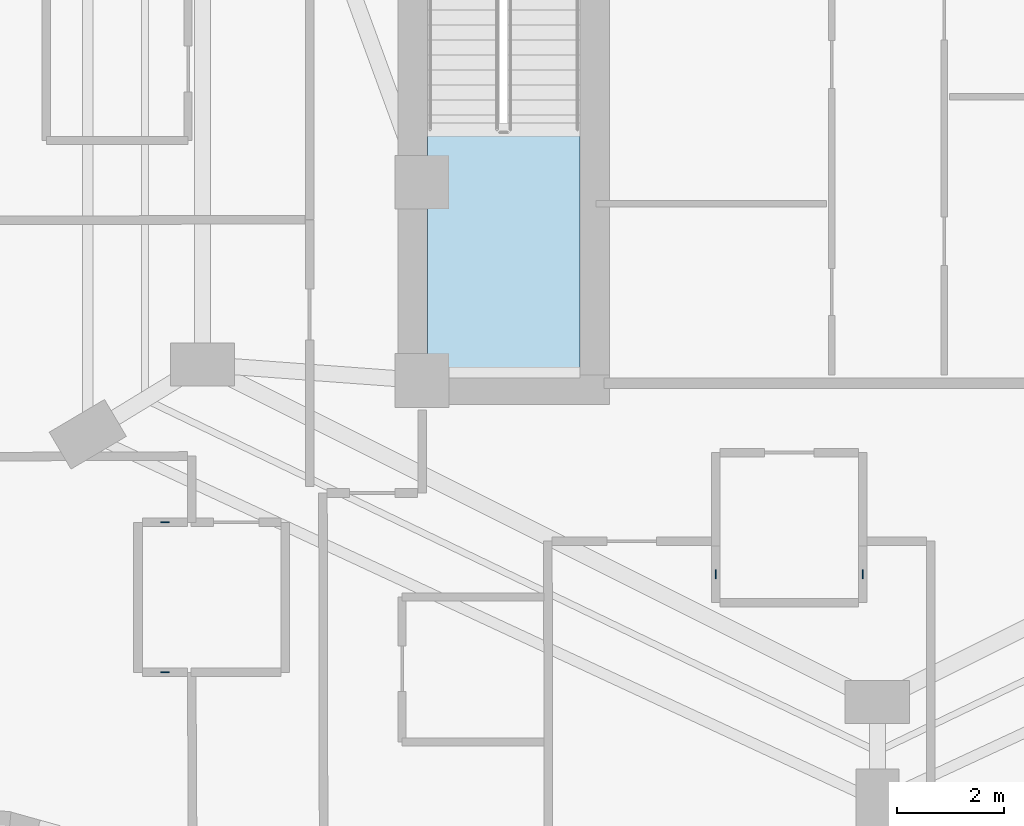
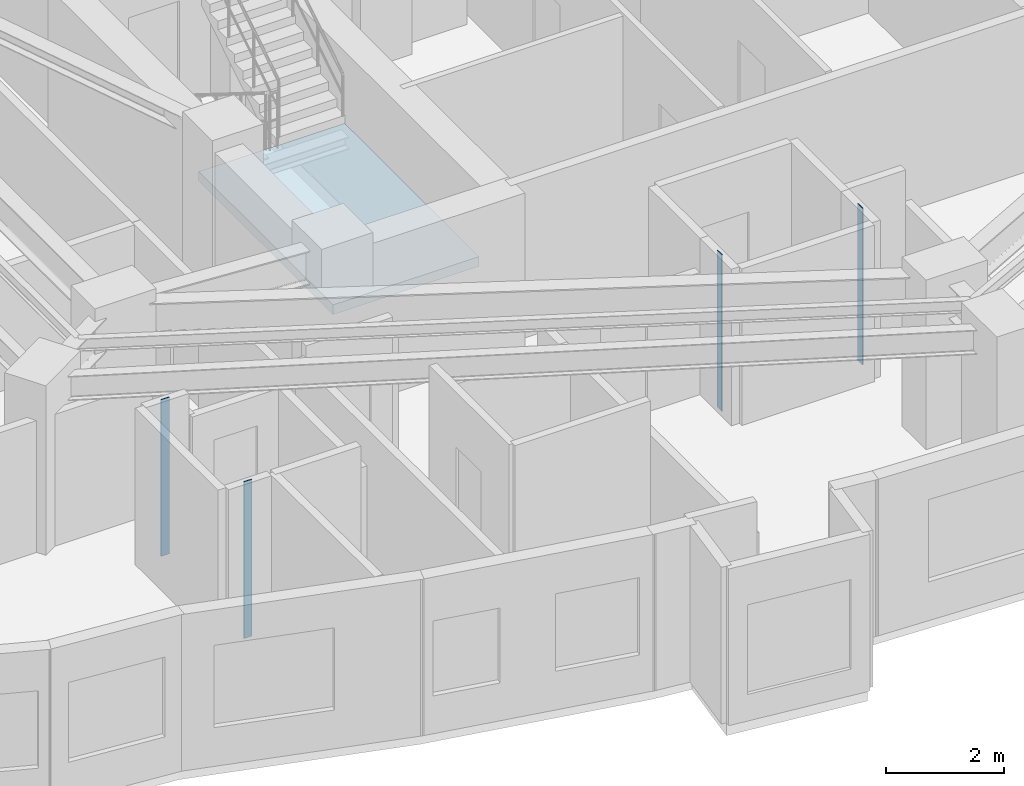
# One storey, part 2 of 14: 4 plates, 1 slab, 1 element without a shape of its own.
"""IFC4 building model written with IfcOpenShell, lengths in metres."""

from ifc_helpers import new_model, si_unit, direction, frame, origin, origin_2d, place, context, subcontext, project, spatial, polyline, rectangle, outline, extrude, material, layer, layer_set, type_object, element, aggregate, save


model = new_model("IFC4")

# Units and contexts
model_context = context("Model", 3, precision=1e-05, world=origin(), true_north=direction((0.0, 1.0)))
body_context = subcontext(model_context, "Body", "Model", "MODEL_VIEW")
ifc_project = project(units=[si_unit("LENGTHUNIT", "METRE"), si_unit("AREAUNIT", "SQUARE_METRE"), si_unit("VOLUMEUNIT", "CUBIC_METRE"), si_unit("PLANEANGLEUNIT", "RADIAN"), si_unit("MASSUNIT", "GRAM", prefix="KILO")], contexts=[model_context])

# Site, building, storey
site_placement = place(None, origin())
site = spatial("IfcSite", under=ifc_project, at=site_placement, CompositionType="ELEMENT")
building_placement = place(site_placement, origin())
building = spatial("IfcBuilding", under=site, at=building_placement, Name="Miruveldt Soraemaru", CompositionType="ELEMENT")
storey_placement = place(building_placement, frame((0.0, 0.0, 131.89990234375)))
storey = spatial("IfcBuildingStorey", under=building, at=storey_placement, Name="L36", CompositionType="ELEMENT", Elevation=131.89990234375)

# Plates
ifc_material_1 = material(Name="Anodised aluminium EN AW-6063 T6", Category="aluminium")
ifc_layer_1 = layer(ifc_material_1, 0.02001953125, Name="Anodised aluminium EN AW-6063 T6", Category="aluminium")
ifc_layer_set_1 = layer_set([ifc_layer_1], Name="Anodised aluminium EN AW-6063 T6")
plate_type = type_object("IfcPlateType", Name="PLT-PART-TRIM", PredefinedType="SHEET", material=ifc_layer_set_1)
for number, where, z_axis, x_axis, name in (
    (1, (40.97998046875, 31.882080078125, 0.0), (0.0, 0.0, 1.0), (0.0, -1.0, 0.0), "L36 Partition Step Corner Trim Plate 078"),
    (2, (43.72998046875, 31.882080078125, 0.0), (0.0, 0.0, 1.0), (0.0, 1.0, 0.0), "L36 Partition Step Corner Trim Plate 080"),
    (3, (30.698974609375, 32.85107421875, 0.0), (0.0, 0.0, 1.0), (-1.0, 0.0, 0.0), "L36 Partition Step Corner Trim Plate 067"),
    (4, (30.698974609375, 30.051025390625, 0.0), (0.0, 0.0, 1.0), (1.0, 0.0, 0.0), "L36 Partition Step Corner Trim Plate 069"),
):
    element("IfcPlate", number, at=place(storey_placement, frame(where, z_axis=z_axis, x_axis=x_axis)), inside=storey, type_object=plate_type, Name=name, PredefinedType="SHEET", context=body_context, shape_type="SweptSolid", body=[
        extrude(rectangle(XDim=0.159912109375, YDim=0.02001953125, at=origin_2d()), origin(), (0.0, 0.0, 1.0), 3.235107421875),
    ])

# Stair, slab
ifc_material_2 = material(Name="Concrete C40/50 (40 MPa)", Category="concrete")
stair_type = type_object("IfcStairType", Name="STAIR-DL-350", PredefinedType="HALF_TURN_STAIR", material=ifc_material_2)
stair_placement = place(storey_placement, origin())
stair = element("IfcStair", 5, at=stair_placement, inside=storey, type_object=stair_type, Name="L36 Protected Exit Stair ST-1", PredefinedType="HALF_TURN_STAIR")
ifc_layer_2 = layer(ifc_material_2, 0.199951171875, Name="Concrete C40/50 (40 MPa)", Category="concrete")
ifc_layer_set_2 = layer_set([ifc_layer_2], Name="Concrete C40/50 (40 MPa)")
slab_type = type_object("IfcSlabType", Name="SLAB-LAND-200", PredefinedType="LANDING", material=ifc_layer_set_2)
slab_placement = place(storey_placement, frame((0.0, 0.0, 1.550048828125)))
slab = element("IfcSlab", 6, at=slab_placement, type_object=slab_type, Name="ST-1 landing 1", PredefinedType="LANDING", context=body_context, shape_type="SweptSolid", body=[
    extrude(outline(polyline([(35.60009765625, 40.197998046875), (35.60009765625, 35.64990234375), (38.449951171875, 35.64990234375), (38.449951171875, 40.197998046875), (35.60009765625, 40.197998046875)])), origin(), (0.0, 0.0, 1.0), 0.199951171875),
])
aggregate(stair, [slab])

save(model, "model.ifc")
